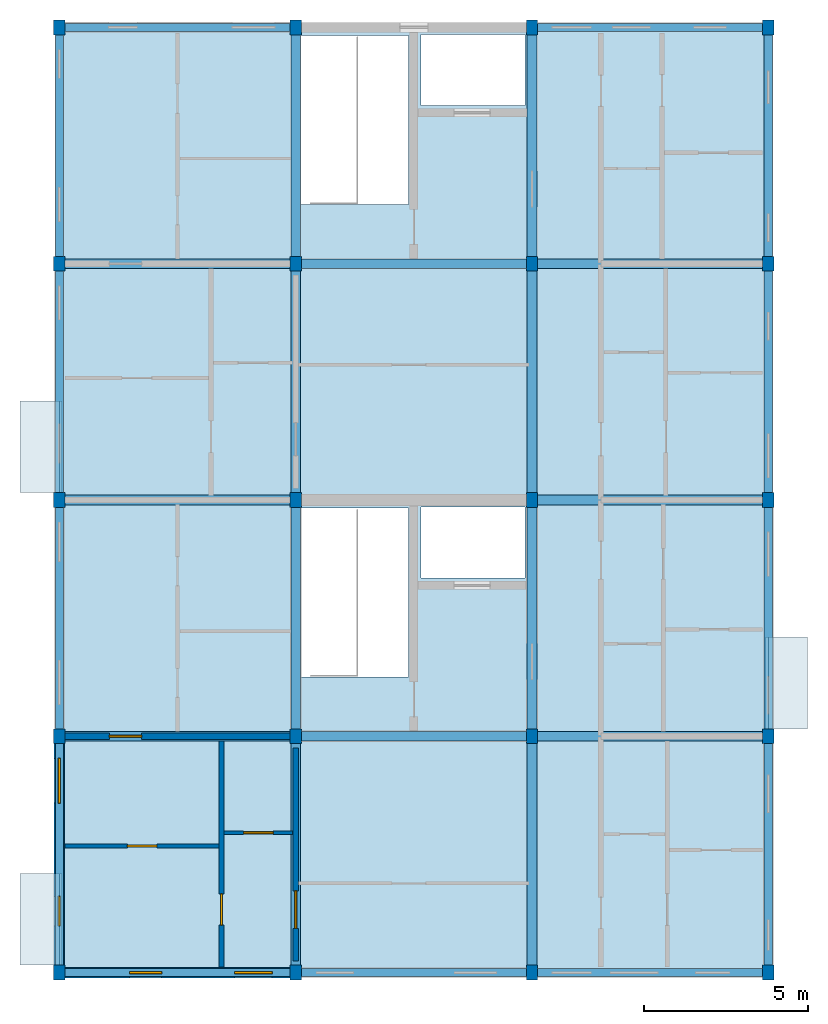
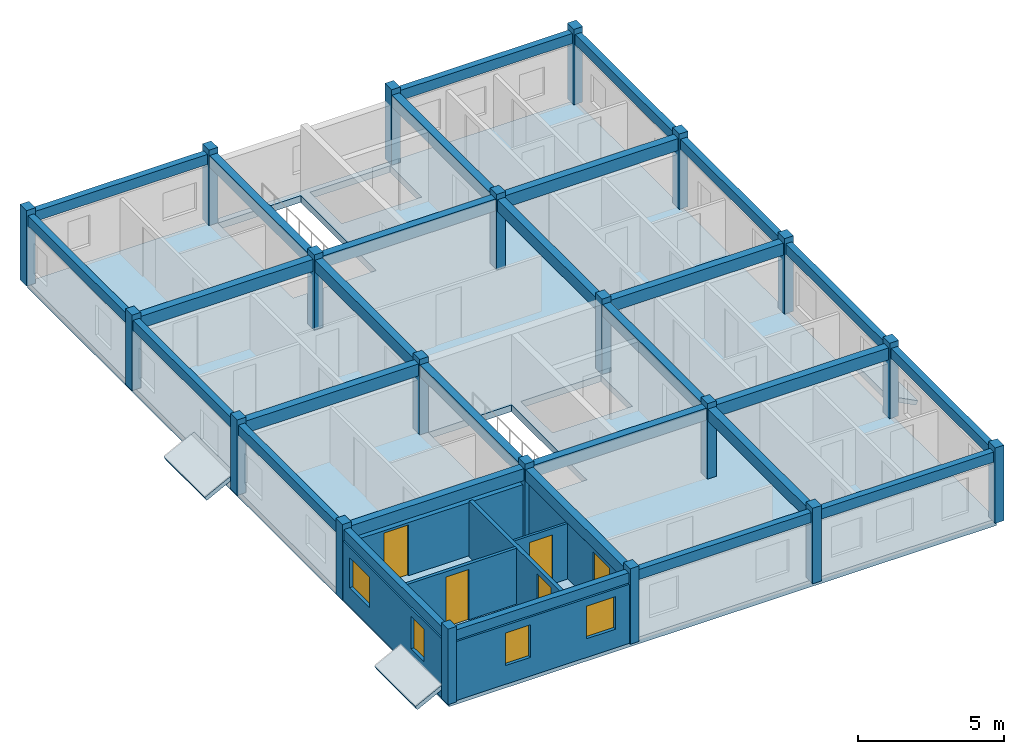
# One storey, part 1 of 6: 29 beams, 20 columns, 7 walls, 5 doors, 4 slabs, 4 windows, 9 openings.
"""IFC4 building model written with IfcOpenShell, lengths in metres."""

from ifc_helpers import new_model, si_unit, direction, frame, frame_2d, origin, origin_2d, place, context, subcontext, project, spatial, polyline, rectangle, outline, extrude, material, layer, layer_set, material_profile, profile_set, type_object, element, fill, save


model = new_model("IFC4")

# Units and contexts
model_context = context("Model", 3, precision=1e-05, world=origin(), true_north=direction((0.0, 1.0)))
body_context = subcontext(model_context, "Body", "Model", "MODEL_VIEW")
ifc_project = project(units=[si_unit("LENGTHUNIT", "METRE"), si_unit("AREAUNIT", "SQUARE_METRE"), si_unit("VOLUMEUNIT", "CUBIC_METRE"), si_unit("PLANEANGLEUNIT", "RADIAN"), si_unit("MASSUNIT", "GRAM", prefix="KILO"), si_unit("THERMODYNAMICTEMPERATUREUNIT", "KELVIN"), si_unit("POWERUNIT", "WATT")], contexts=[model_context])

# Site, building, storey
site_placement = place(None, origin())
site = spatial("IfcSite", under=ifc_project, at=site_placement, CompositionType="ELEMENT")
building_placement = place(site_placement, origin())
building = spatial("IfcBuilding", under=site, at=building_placement, Name="Tavuni Mirador Residences", CompositionType="ELEMENT")
storey_placement = place(building_placement, frame((0.0, 0.0, 48.60009765625)))
storey = spatial("IfcBuildingStorey", under=building, at=storey_placement, Name="L15", CompositionType="ELEMENT", Elevation=48.60009765625)

# Columns
ifc_material_1 = material(Name="Precast concrete C40/50", Category="concrete")
ifc_material_profile_1 = material_profile(ifc_material_1, rectangle(XDim=0.35009765625, YDim=0.449951171875, at=origin_2d()), Name="PC 350x450", Category="concrete")
ifc_profile_set_1 = profile_set([ifc_material_profile_1], Name="Precast concrete C40/50")
column_type = type_object("IfcColumnType", Name="CT-PC350X450", PredefinedType="COLUMN", material=ifc_profile_set_1)
for number, where, z_axis, x_axis, name in (
    (1, (3.60009765625, 7.199951171875, 0.0), (0.0, 0.0, 1.0), (1.0, 0.0, 0.0), "COL-BLK-A-L15-00-00"),
    (2, (3.60009765625, 14.39990234375, 0.0), (0.0, 0.0, 1.0), (1.0, 0.0, 0.0), "COL-BLK-A-L15-00-01"),
    (3, (3.60009765625, 21.60009765625, 0.0), (0.0, 0.0, 1.0), (1.0, 0.0, 0.0), "COL-BLK-A-L15-00-02"),
    (4, (3.60009765625, 28.800048828125, 0.0), (0.0, 0.0, 1.0), (1.0, 0.0, 0.0), "COL-BLK-A-L15-00-03"),
    (5, (3.60009765625, 36.0, 0.0), (0.0, 0.0, 1.0), (1.0, 0.0, 0.0), "COL-BLK-A-L15-00-04"),
    (6, (10.800048828125, 7.199951171875, 0.0), (0.0, 0.0, 1.0), (1.0, 0.0, 0.0), "COL-BLK-A-L15-01-00"),
    (7, (10.800048828125, 14.39990234375, 0.0), (0.0, 0.0, 1.0), (1.0, 0.0, 0.0), "COL-BLK-A-L15-01-01"),
    (8, (10.800048828125, 21.60009765625, 0.0), (0.0, 0.0, 1.0), (1.0, 0.0, 0.0), "COL-BLK-A-L15-01-02"),
    (9, (10.800048828125, 28.800048828125, 0.0), (0.0, 0.0, 1.0), (1.0, 0.0, 0.0), "COL-BLK-A-L15-01-03"),
    (10, (10.800048828125, 36.0, 0.0), (0.0, 0.0, 1.0), (1.0, 0.0, 0.0), "COL-BLK-A-L15-01-04"),
    (11, (18.0, 7.199951171875, 0.0), (0.0, 0.0, 1.0), (1.0, 0.0, 0.0), "COL-BLK-A-L15-02-00"),
    (12, (18.0, 14.39990234375, 0.0), (0.0, 0.0, 1.0), (1.0, 0.0, 0.0), "COL-BLK-A-L15-02-01"),
    (13, (18.0, 21.60009765625, 0.0), (0.0, 0.0, 1.0), (1.0, 0.0, 0.0), "COL-BLK-A-L15-02-02"),
    (14, (18.0, 28.800048828125, 0.0), (0.0, 0.0, 1.0), (1.0, 0.0, 0.0), "COL-BLK-A-L15-02-03"),
    (15, (18.0, 36.0, 0.0), (0.0, 0.0, 1.0), (1.0, 0.0, 0.0), "COL-BLK-A-L15-02-04"),
    (16, (25.199951171875, 7.199951171875, 0.0), (0.0, 0.0, 1.0), (1.0, 0.0, 0.0), "COL-BLK-A-L15-03-00"),
    (17, (25.199951171875, 14.39990234375, 0.0), (0.0, 0.0, 1.0), (1.0, 0.0, 0.0), "COL-BLK-A-L15-03-01"),
    (18, (25.199951171875, 21.60009765625, 0.0), (0.0, 0.0, 1.0), (1.0, 0.0, 0.0), "COL-BLK-A-L15-03-02"),
    (19, (25.199951171875, 28.800048828125, 0.0), (0.0, 0.0, 1.0), (1.0, 0.0, 0.0), "COL-BLK-A-L15-03-03"),
    (20, (25.199951171875, 36.0, 0.0), (0.0, 0.0, 1.0), (1.0, 0.0, 0.0), "COL-BLK-A-L15-03-04"),
):
    element("IfcColumn", number, at=place(storey_placement, frame(where, z_axis=z_axis, x_axis=x_axis)), inside=storey, type_object=column_type, Name=name, PredefinedType="COLUMN", context=body_context, shape_type="SweptSolid", body=[
        extrude(rectangle(XDim=0.35009765625, YDim=0.449951171875, at=origin_2d()), origin(), (0.0, 0.0, 1.0), 3.14990234375),
    ])

# Beams
ifc_material_profile_2 = material_profile(ifc_material_1, rectangle(XDim=0.300048828125, YDim=0.5, at=origin_2d()), Name="PC 300x500", Category="concrete")
ifc_profile_set_2 = profile_set([ifc_material_profile_2], Name="Precast concrete C40/50")
beam_type_1 = type_object("IfcBeamType", Name="BT-B500", PredefinedType="BEAM", material=ifc_profile_set_2)
for number, where, z_axis, x_axis, name in (
    (21, (3.60009765625, 14.39990234375, 2.669921875), (1.0, 0.0, 0.0), (0.0, 1.0, 0.0), "BMX-BLK-A-L15-00-01"),
    (22, (10.800048828125, 14.39990234375, 2.669921875), (1.0, 0.0, 0.0), (0.0, 1.0, 0.0), "BMX-BLK-A-L15-01-01"),
    (23, (18.0, 14.39990234375, 2.669921875), (1.0, 0.0, 0.0), (0.0, 1.0, 0.0), "BMX-BLK-A-L15-02-01"),
    (24, (3.60009765625, 21.60009765625, 2.669921875), (1.0, 0.0, 0.0), (0.0, 1.0, 0.0), "BMX-BLK-A-L15-00-02"),
    (25, (18.0, 21.60009765625, 2.669921875), (1.0, 0.0, 0.0), (0.0, 1.0, 0.0), "BMX-BLK-A-L15-02-02"),
    (26, (3.60009765625, 28.800048828125, 2.669921875), (1.0, 0.0, 0.0), (0.0, 1.0, 0.0), "BMX-BLK-A-L15-00-03"),
    (27, (10.800048828125, 28.800048828125, 2.669921875), (1.0, 0.0, 0.0), (0.0, 1.0, 0.0), "BMX-BLK-A-L15-01-03"),
    (28, (18.0, 28.800048828125, 2.669921875), (1.0, 0.0, 0.0), (0.0, 1.0, 0.0), "BMX-BLK-A-L15-02-03"),
    (29, (10.800048828125, 7.199951171875, 2.669921875), (0.0, 1.0, 0.0), (-1.0, 0.0, 0.0), "BMY-BLK-A-L15-01-00"),
):
    element("IfcBeam", number, at=place(storey_placement, frame(where, z_axis=z_axis, x_axis=x_axis)), inside=storey, type_object=beam_type_1, Name=name, PredefinedType="BEAM", context=body_context, shape_type="SweptSolid", body=[
        extrude(rectangle(XDim=0.300048828125, YDim=0.5, at=origin_2d()), origin(), (0.0, 0.0, 1.0), 7.199951171875),
    ])
beam_1_placement = place(storey_placement, frame((10.800048828125, 14.39990234375, 2.669921875), z_axis=(0.0, 1.0, 0.0), x_axis=(-1.0, 0.0, 0.0)))
element("IfcBeam", 30, at=beam_1_placement, inside=storey, type_object=beam_type_1, Name="BMY-BLK-A-L15-01-01", PredefinedType="BEAM", context=body_context, shape_type="SweptSolid", body=[
    extrude(rectangle(XDim=0.300048828125, YDim=0.5, at=origin_2d()), origin(), (0.0, 0.0, 1.0), 7.2001953125),
])
for number, where, z_axis, x_axis, name in (
    (31, (10.800048828125, 21.60009765625, 2.669921875), (0.0, 1.0, 0.0), (-1.0, 0.0, 0.0), "BMY-BLK-A-L15-01-02"),
    (32, (10.800048828125, 28.800048828125, 2.669921875), (0.0, 1.0, 0.0), (-1.0, 0.0, 0.0), "BMY-BLK-A-L15-01-03"),
    (33, (18.0, 7.199951171875, 2.669921875), (0.0, 1.0, 0.0), (-1.0, 0.0, 0.0), "BMY-BLK-A-L15-02-00"),
):
    element("IfcBeam", number, at=place(storey_placement, frame(where, z_axis=z_axis, x_axis=x_axis)), inside=storey, type_object=beam_type_1, Name=name, PredefinedType="BEAM", context=body_context, shape_type="SweptSolid", body=[
        extrude(rectangle(XDim=0.300048828125, YDim=0.5, at=origin_2d()), origin(), (0.0, 0.0, 1.0), 7.199951171875),
    ])
beam_2_placement = place(storey_placement, frame((18.0, 14.39990234375, 2.669921875), z_axis=(0.0, 1.0, 0.0), x_axis=(-1.0, 0.0, 0.0)))
element("IfcBeam", 34, at=beam_2_placement, inside=storey, type_object=beam_type_1, Name="BMY-BLK-A-L15-02-01", PredefinedType="BEAM", context=body_context, shape_type="SweptSolid", body=[
    extrude(rectangle(XDim=0.300048828125, YDim=0.5, at=origin_2d()), origin(), (0.0, 0.0, 1.0), 7.2001953125),
])
for number, where, z_axis, x_axis, name in (
    (35, (18.0, 21.60009765625, 2.669921875), (0.0, 1.0, 0.0), (-1.0, 0.0, 0.0), "BMY-BLK-A-L15-02-02"),
    (36, (18.0, 28.800048828125, 2.669921875), (0.0, 1.0, 0.0), (-1.0, 0.0, 0.0), "BMY-BLK-A-L15-02-03"),
):
    element("IfcBeam", number, at=place(storey_placement, frame(where, z_axis=z_axis, x_axis=x_axis)), inside=storey, type_object=beam_type_1, Name=name, PredefinedType="BEAM", context=body_context, shape_type="SweptSolid", body=[
        extrude(rectangle(XDim=0.300048828125, YDim=0.5, at=origin_2d()), origin(), (0.0, 0.0, 1.0), 7.199951171875),
    ])
ifc_material_profile_3 = material_profile(ifc_material_1, rectangle(XDim=0.25, YDim=0.419921875, at=origin_2d()), Name="PC 250x420", Category="concrete")
ifc_profile_set_3 = profile_set([ifc_material_profile_3], Name="Precast concrete C40/50")
beam_type_2 = type_object("IfcBeamType", Name="BT-SP420", PredefinedType="SPANDREL", material=ifc_profile_set_3)
for number, where, z_axis, x_axis, name in (
    (37, (3.60009765625, 7.199951171875, 2.7099609375), (1.0, 0.0, 0.0), (0.0, 1.0, 0.0), "BMX-BLK-A-L15-00-00"),
    (38, (10.800048828125, 7.199951171875, 2.7099609375), (1.0, 0.0, 0.0), (0.0, 1.0, 0.0), "BMX-BLK-A-L15-01-00"),
    (39, (18.0, 7.199951171875, 2.7099609375), (1.0, 0.0, 0.0), (0.0, 1.0, 0.0), "BMX-BLK-A-L15-02-00"),
    (40, (3.60009765625, 36.0, 2.7099609375), (1.0, 0.0, 0.0), (0.0, 1.0, 0.0), "BMX-BLK-A-L15-00-04"),
    (41, (18.0, 36.0, 2.7099609375), (1.0, 0.0, 0.0), (0.0, 1.0, 0.0), "BMX-BLK-A-L15-02-04"),
    (42, (3.60009765625, 7.199951171875, 2.7099609375), (0.0, 1.0, 0.0), (-1.0, 0.0, 0.0), "BMY-BLK-A-L15-00-00"),
):
    element("IfcBeam", number, at=place(storey_placement, frame(where, z_axis=z_axis, x_axis=x_axis)), inside=storey, type_object=beam_type_2, Name=name, PredefinedType="SPANDREL", context=body_context, shape_type="SweptSolid", body=[
        extrude(rectangle(XDim=0.25, YDim=0.419921875, at=origin_2d()), origin(), (0.0, 0.0, 1.0), 7.199951171875),
    ])
beam_3_placement = place(storey_placement, frame((3.60009765625, 14.39990234375, 2.7099609375), z_axis=(0.0, 1.0, 0.0), x_axis=(-1.0, 0.0, 0.0)))
element("IfcBeam", 43, at=beam_3_placement, inside=storey, type_object=beam_type_2, Name="BMY-BLK-A-L15-00-01", PredefinedType="SPANDREL", context=body_context, shape_type="SweptSolid", body=[
    extrude(rectangle(XDim=0.25, YDim=0.419921875, at=origin_2d()), origin(), (0.0, 0.0, 1.0), 7.2001953125),
])
for number, where, z_axis, x_axis, name in (
    (44, (3.60009765625, 21.60009765625, 2.7099609375), (0.0, 1.0, 0.0), (-1.0, 0.0, 0.0), "BMY-BLK-A-L15-00-02"),
    (45, (3.60009765625, 28.800048828125, 2.7099609375), (0.0, 1.0, 0.0), (-1.0, 0.0, 0.0), "BMY-BLK-A-L15-00-03"),
    (46, (25.199951171875, 7.199951171875, 2.7099609375), (0.0, 1.0, 0.0), (-1.0, 0.0, 0.0), "BMY-BLK-A-L15-03-00"),
):
    element("IfcBeam", number, at=place(storey_placement, frame(where, z_axis=z_axis, x_axis=x_axis)), inside=storey, type_object=beam_type_2, Name=name, PredefinedType="SPANDREL", context=body_context, shape_type="SweptSolid", body=[
        extrude(rectangle(XDim=0.25, YDim=0.419921875, at=origin_2d()), origin(), (0.0, 0.0, 1.0), 7.199951171875),
    ])
beam_4_placement = place(storey_placement, frame((25.199951171875, 14.39990234375, 2.7099609375), z_axis=(0.0, 1.0, 0.0), x_axis=(-1.0, 0.0, 0.0)))
element("IfcBeam", 47, at=beam_4_placement, inside=storey, type_object=beam_type_2, Name="BMY-BLK-A-L15-03-01", PredefinedType="SPANDREL", context=body_context, shape_type="SweptSolid", body=[
    extrude(rectangle(XDim=0.25, YDim=0.419921875, at=origin_2d()), origin(), (0.0, 0.0, 1.0), 7.2001953125),
])
for number, where, z_axis, x_axis, name in (
    (48, (25.199951171875, 21.60009765625, 2.7099609375), (0.0, 1.0, 0.0), (-1.0, 0.0, 0.0), "BMY-BLK-A-L15-03-02"),
    (49, (25.199951171875, 28.800048828125, 2.7099609375), (0.0, 1.0, 0.0), (-1.0, 0.0, 0.0), "BMY-BLK-A-L15-03-03"),
):
    element("IfcBeam", number, at=place(storey_placement, frame(where, z_axis=z_axis, x_axis=x_axis)), inside=storey, type_object=beam_type_2, Name=name, PredefinedType="SPANDREL", context=body_context, shape_type="SweptSolid", body=[
        extrude(rectangle(XDim=0.25, YDim=0.419921875, at=origin_2d()), origin(), (0.0, 0.0, 1.0), 7.199951171875),
    ])

# Slabs
ifc_material_2 = material(Name="Prestressed concrete C45/55", Category="concrete")
ifc_layer_1 = layer(ifc_material_2, 0.280029296875, Name="Prestressed concrete C45/55", Category="concrete")
ifc_layer_set_1 = layer_set([ifc_layer_1], Name="Prestressed concrete C45/55")
slab_type_1 = type_object("IfcSlabType", Name="SLT-FLR280", PredefinedType="FLOOR", material=ifc_layer_set_1)
slab_1_placement = place(storey_placement, frame((0.0, 0.0, -0.280029296875)))
element("IfcSlab", 50, at=slab_1_placement, inside=storey, type_object=slab_type_1, Name="SLB-BLK-A-L15", PredefinedType="FLOOR", context=body_context, shape_type="SweptSolid", body=[
    extrude(outline(polyline([(3.60009765625, 7.199951171875), (25.199951171875, 7.199951171875), (25.199951171875, 36.0), (3.60009765625, 36.0), (3.60009765625, 7.199951171875)]), holes=[polyline([(10.9599609375, 16.2080078125), (14.239990234375, 16.2080078125), (14.239990234375, 21.360107421875), (10.9599609375, 21.360107421875), (10.9599609375, 16.2080078125)]), polyline([(14.6201171875, 19.219970703125), (17.780029296875, 19.219970703125), (17.780029296875, 21.3798828125), (14.6201171875, 21.3798828125), (14.6201171875, 19.219970703125)]), polyline([(10.9599609375, 30.60791015625), (14.239990234375, 30.60791015625), (14.239990234375, 35.760009765625), (10.9599609375, 35.760009765625), (10.9599609375, 30.60791015625)]), polyline([(14.6201171875, 33.6201171875), (17.780029296875, 33.6201171875), (17.780029296875, 35.780029296875), (14.6201171875, 35.780029296875), (14.6201171875, 33.6201171875)])]), origin(), (0.0, 0.0, 1.0), 0.280029296875),
])
ifc_layer_2 = layer(ifc_material_1, 0.175048828125, Name="Precast concrete C40/50", Category="concrete")
ifc_layer_set_2 = layer_set([ifc_layer_2], Name="Precast concrete C40/50")
slab_type_2 = type_object("IfcSlabType", Name="SLT-RF175", PredefinedType="ROOF", material=ifc_layer_set_2)
slab_2_placement = place(storey_placement, frame((3.60009765625, 7.425048828125, 0.619873046875), z_axis=(-0.458886902548, 0.0, 0.888494688037), x_axis=(0.0, 1.0, 0.0)))
element("IfcSlab", 51, at=slab_2_placement, inside=storey, type_object=slab_type_2, Name="Mirador roof hood MIR-A-W1", PredefinedType="ROOF", context=body_context, shape_type="SweptSolid", body=[
    extrude(outline(polyline([(0.0, 0.0), (2.794921875, 0.0), (2.794921875, 1.3508187822165743), (0.0, 1.3508187822165743), (0.0, 0.0)])), origin(), (0.0, 0.0, -1.0), 0.175048828125),
])
slab_3_placement = place(storey_placement, frame((3.60009765625, 21.824951171875, 0.619873046875), z_axis=(-0.458886902548, 0.0, 0.888494688037), x_axis=(0.0, 1.0, 0.0)))
element("IfcSlab", 52, at=slab_3_placement, inside=storey, type_object=slab_type_2, Name="Mirador roof hood MIR-A-W2", PredefinedType="ROOF", context=body_context, shape_type="SweptSolid", body=[
    extrude(outline(polyline([(0.0, 0.0), (2.795166015625, 0.0), (2.795166015625, 1.3508187822165745), (0.0, 1.3508187822165745), (0.0, 0.0)])), origin(), (0.0, 0.0, -1.0), 0.175048828125),
])
slab_4_placement = place(storey_placement, frame((25.199951171875, 14.625, 0.619873046875), z_axis=(0.458960601939, 0.0, 0.888456620138), x_axis=(0.0, 1.0, 0.0)))
element("IfcSlab", 53, at=slab_4_placement, inside=storey, type_object=slab_type_2, Name="Mirador roof hood MIR-A-EU", PredefinedType="ROOF", context=body_context, shape_type="SweptSolid", body=[
    extrude(outline(polyline([(0.0, 0.0), (2.794921875, 0.0), (2.794921875, -1.3506018692147148), (0.0, -1.3506018692147148), (0.0, 0.0)])), origin(), (0.0, 0.0, -1.0), 0.175048828125),
])

# Wall, opening, door
ifc_layer_3 = layer(ifc_material_1, 0.1650390625, Name="Precast concrete C40/50", Category="concrete")
ifc_layer_set_3 = layer_set([ifc_layer_3], Name="Precast concrete C40/50")
wall_type_1 = type_object("IfcWallType", Name="WT-CORR165", PredefinedType="PARTITIONING", material=ifc_layer_set_3)
wall_1_placement = place(storey_placement, frame((10.800048828125, 7.550048828125, 0.0), z_axis=(0.0, 0.0, 1.0), x_axis=(0.0, 1.0, 0.0)))
wall_1 = element("IfcWall", 54, at=wall_1_placement, inside=storey, type_object=wall_type_1, Name="CORW-BLK-A-L15-1-00", PredefinedType="PARTITIONING", context=body_context, shape_type="SweptSolid", body=[
    extrude(rectangle(XDim=6.5, YDim=0.1650390625, at=frame_2d((3.25, 0.0))), origin(), (0.0, 0.0, 1.0), 2.324951171875),
])
opening_1_placement = place(wall_1_placement, frame((1.0, 0.0, 0.0)))
opening_1 = element("IfcOpeningElement", 55, at=opening_1_placement, cuts=wall_1, Name="Opening D-20", PredefinedType="OPENING", context=body_context, shape_type="SweptSolid", body=[
    extrude(rectangle(XDim=1.139892578125, YDim=2.179931640625, at=frame_2d((0.56982421875, 1.08984375))), frame((0.0, 0.092529296875, 0.0), z_axis=(0.0, -1.0, 0.0), x_axis=(1.0, 0.0, 0.0)), (0.0, 0.0, 1.0), 0.18505859375),
])
ifc_material_3 = material(Name="Solid core iroko timber", Category="wood")
door_type_1 = type_object("IfcDoorType", Name="DT-FD60-1140", OperationType="NOTDEFINED", PredefinedType="DOOR", material=ifc_material_3)
door_1_placement = place(opening_1_placement, origin())
door_1 = element("IfcDoor", 56, at=door_1_placement, inside=storey, type_object=door_type_1, Name="DR-2519", OperationType="SINGLE_SWING_RIGHT", OverallHeight=2.179931640625, OverallWidth=1.139892578125, PredefinedType="DOOR", context=body_context, shape_type="SweptSolid", body=[
    extrude(rectangle(XDim=1.139892578125, YDim=2.179931640625, at=frame_2d((0.56982421875, 1.08984375))), frame((0.0, 0.02490234375, 0.0), z_axis=(0.0, -1.0, 0.0), x_axis=(1.0, 0.0, 0.0)), (0.0, 0.0, 1.0), 0.050048828125),
])
fill(opening_1, door_1)

# Wall, openings, windows
ifc_material_4 = material(Name="Sgraffito lime-rendered precast concrete C40/50", Category="concrete")
ifc_layer_4 = layer(ifc_material_4, 0.31494140625, Name="Sgraffito lime-rendered precast concrete C40/50", Category="concrete")
ifc_layer_set_4 = layer_set([ifc_layer_4], Name="Sgraffito lime-rendered precast concrete C40/50")
wall_type_2 = type_object("IfcWallType", Name="WT-EXT-PC315", PredefinedType="SOLIDWALL", material=ifc_layer_set_4)
wall_2_placement = place(storey_placement, frame((3.77490234375, 7.199951171875, 0.0), z_axis=(0.0, 0.0, 1.0), x_axis=(1.0, 0.0, 0.0)))
wall_2 = element("IfcWall", 57, at=wall_2_placement, inside=storey, type_object=wall_type_2, Name="EW-BLK-A-L15-S00", PredefinedType="SOLIDWALL", context=body_context, shape_type="SweptSolid", body=[
    extrude(rectangle(XDim=6.85009765625, YDim=0.31494140625, at=frame_2d((3.425048828125, 0.0))), origin(), (0.0, 0.0, 1.0), 2.4599609375),
])
opening_2_placement = place(wall_2_placement, frame((1.96240234375, 0.0, 0.780029296875)))
opening_2 = element("IfcOpeningElement", 58, at=opening_2_placement, cuts=wall_2, Name="Opening WN-18", PredefinedType="OPENING", context=body_context, shape_type="SweptSolid", body=[
    extrude(rectangle(XDim=0.97998046875, YDim=1.360107421875, at=frame_2d((0.489990234375, 0.68017578125))), frame((0.0, 0.16748046875, 0.0), z_axis=(0.0, -1.0, 0.0), x_axis=(1.0, 0.0, 0.0)), (0.0, 0.0, 1.0), 0.3349609375),
])
opening_3_placement = place(wall_2_placement, frame((5.16748046875, 0.0, 0.780029296875)))
opening_3 = element("IfcOpeningElement", 59, at=opening_3_placement, cuts=wall_2, Name="Opening WN-20", PredefinedType="OPENING", context=body_context, shape_type="SweptSolid", body=[
    extrude(rectangle(XDim=1.139892578125, YDim=1.360107421875, at=frame_2d((0.56982421875, 0.68017578125))), frame((0.0, 0.16748046875, 0.0), z_axis=(0.0, -1.0, 0.0), x_axis=(1.0, 0.0, 0.0)), (0.0, 0.0, 1.0), 0.3349609375),
])
ifc_material_5 = material(Name="Laminated solar-control glass", Category="glass")
window_type_1 = type_object("IfcWindowType", Name="WNT-18", PartitioningType="SINGLE_PANEL", PredefinedType="WINDOW", material=ifc_material_5)
window_1_placement = place(opening_2_placement, origin())
window_1 = element("IfcWindow", 60, at=window_1_placement, inside=storey, type_object=window_type_1, Name="WIN-0512", OverallHeight=1.360107421875, OverallWidth=0.97998046875, PartitioningType="SINGLE_PANEL", PredefinedType="WINDOW", context=body_context, shape_type="SweptSolid", body=[
    extrude(rectangle(XDim=0.97998046875, YDim=1.360107421875, at=frame_2d((0.489990234375, 0.68017578125))), frame((0.0, 0.030029296875, 0.0), z_axis=(0.0, -1.0, 0.0), x_axis=(1.0, 0.0, 0.0)), (0.0, 0.0, 1.0), 0.06005859375),
])
fill(opening_2, window_1)
window_type_2 = type_object("IfcWindowType", Name="WNT-20", PartitioningType="SINGLE_PANEL", PredefinedType="WINDOW", material=ifc_material_5)
window_2_placement = place(opening_3_placement, origin())
window_2 = element("IfcWindow", 61, at=window_2_placement, inside=storey, type_object=window_type_2, Name="WIN-0513", OverallHeight=1.360107421875, OverallWidth=1.139892578125, PartitioningType="SINGLE_PANEL", PredefinedType="WINDOW", context=body_context, shape_type="SweptSolid", body=[
    extrude(rectangle(XDim=1.139892578125, YDim=1.360107421875, at=frame_2d((0.56982421875, 0.68017578125))), frame((0.0, 0.030029296875, 0.0), z_axis=(0.0, -1.0, 0.0), x_axis=(1.0, 0.0, 0.0)), (0.0, 0.0, 1.0), 0.06005859375),
])
fill(opening_3, window_2)

wall_3_placement = place(storey_placement, frame((3.60009765625, 14.175048828125, 0.0), z_axis=(0.0, 0.0, 1.0), x_axis=(0.0, -1.0, 0.0)))
wall_3 = element("IfcWall", 62, at=wall_3_placement, inside=storey, type_object=wall_type_2, Name="EW-BLK-A-L15-W00", PredefinedType="SOLIDWALL", context=body_context, shape_type="SweptSolid", body=[
    extrude(rectangle(XDim=6.75, YDim=0.31494140625, at=frame_2d((3.375, 0.0))), origin(), (0.0, 0.0, 1.0), 2.4599609375),
])
opening_4_placement = place(wall_3_placement, frame((0.449951171875, 0.0, 0.780029296875)))
opening_4 = element("IfcOpeningElement", 63, at=opening_4_placement, cuts=wall_3, Name="Opening WN-15", PredefinedType="OPENING", context=body_context, shape_type="SweptSolid", body=[
    extrude(rectangle(XDim=1.360107421875, YDim=1.260009765625, at=frame_2d((0.68017578125, 0.6298828125))), frame((0.0, 0.16748046875, 0.0), z_axis=(0.0, -1.0, 0.0), x_axis=(1.0, 0.0, 0.0)), (0.0, 0.0, 1.0), 0.3349609375),
])
opening_5_placement = place(wall_3_placement, frame((4.64990234375, 0.0, 0.780029296875)))
opening_5 = element("IfcOpeningElement", 64, at=opening_5_placement, cuts=wall_3, Name="Opening WN-17", PredefinedType="OPENING", context=body_context, shape_type="SweptSolid", body=[
    extrude(rectangle(XDim=0.89990234375, YDim=1.360107421875, at=frame_2d((0.449951171875, 0.68017578125))), frame((0.0, 0.16748046875, 0.0), z_axis=(0.0, -1.0, 0.0), x_axis=(1.0, 0.0, 0.0)), (0.0, 0.0, 1.0), 0.3349609375),
])
window_type_3 = type_object("IfcWindowType", Name="WNT-15", PartitioningType="SINGLE_PANEL", PredefinedType="WINDOW", material=ifc_material_5)
window_3_placement = place(opening_4_placement, origin())
window_3 = element("IfcWindow", 65, at=window_3_placement, inside=storey, type_object=window_type_3, Name="WIN-0539", OverallHeight=1.260009765625, OverallWidth=1.360107421875, PartitioningType="SINGLE_PANEL", PredefinedType="WINDOW", context=body_context, shape_type="SweptSolid", body=[
    extrude(rectangle(XDim=1.360107421875, YDim=1.260009765625, at=frame_2d((0.68017578125, 0.6298828125))), frame((0.0, 0.030029296875, 0.0), z_axis=(0.0, -1.0, 0.0), x_axis=(1.0, 0.0, 0.0)), (0.0, 0.0, 1.0), 0.06005859375),
])
fill(opening_4, window_3)
window_type_4 = type_object("IfcWindowType", Name="WNT-17", PartitioningType="SINGLE_PANEL", PredefinedType="WINDOW", material=ifc_material_5)
window_4_placement = place(opening_5_placement, origin())
window_4 = element("IfcWindow", 66, at=window_4_placement, inside=storey, type_object=window_type_4, Name="WIN-0540", OverallHeight=1.360107421875, OverallWidth=0.89990234375, PartitioningType="SINGLE_PANEL", PredefinedType="WINDOW", context=body_context, shape_type="SweptSolid", body=[
    extrude(rectangle(XDim=0.89990234375, YDim=1.360107421875, at=frame_2d((0.449951171875, 0.68017578125))), frame((0.0, 0.030029296875, 0.0), z_axis=(0.0, -1.0, 0.0), x_axis=(1.0, 0.0, 0.0)), (0.0, 0.0, 1.0), 0.06005859375),
])
fill(opening_5, window_4)

# Wall, opening, door
ifc_material_6 = material(Name="Acoustic gypsum and concrete block partition", Category="concrete")
ifc_layer_5 = layer(ifc_material_6, 0.094970703125, Name="Acoustic gypsum and concrete block partition", Category="concrete")
ifc_layer_set_5 = layer_set([ifc_layer_5], Name="Acoustic gypsum and concrete block partition")
wall_type_3 = type_object("IfcWallType", Name="WT-PART095", PredefinedType="PARTITIONING", material=ifc_layer_set_5)
wall_4_placement = place(storey_placement, frame((8.610107421875, 11.4599609375, 0.0), z_axis=(0.0, 0.0, 1.0), x_axis=(1.0, 0.0, 0.0)))
wall_4 = element("IfcWall", 67, at=wall_4_placement, inside=storey, type_object=wall_type_3, Name="PW-BLK-A-L15-W00-IN1", PredefinedType="PARTITIONING", context=body_context, shape_type="SweptSolid", body=[
    extrude(rectangle(XDim=2.099853515625, YDim=0.094970703125, at=frame_2d((1.0498046875, 0.0))), origin(), (0.0, 0.0, 1.0), 2.324951171875),
])
opening_6_placement = place(wall_4_placement, frame((0.60009765625, 0.0, 0.0)))
opening_6 = element("IfcOpeningElement", 68, at=opening_6_placement, cuts=wall_4, Name="Opening D-09", PredefinedType="OPENING", context=body_context, shape_type="SweptSolid", body=[
    extrude(rectangle(XDim=0.89990234375, YDim=2.050048828125, at=frame_2d((0.449951171875, 1.02490234375))), frame((0.0, 0.0576171875, 0.0), z_axis=(0.0, -1.0, 0.0), x_axis=(1.0, 0.0, 0.0)), (0.0, 0.0, 1.0), 0.114990234375),
])
door_type_2 = type_object("IfcDoorType", Name="DT-WC900", OperationType="NOTDEFINED", PredefinedType="DOOR", material=ifc_material_3)
door_2_placement = place(opening_6_placement, origin())
door_2 = element("IfcDoor", 69, at=door_2_placement, inside=storey, type_object=door_type_2, Name="DR-3402", OperationType="SINGLE_SWING_RIGHT", OverallHeight=2.050048828125, OverallWidth=0.89990234375, PredefinedType="DOOR", context=body_context, shape_type="SweptSolid", body=[
    extrude(rectangle(XDim=0.89990234375, YDim=2.050048828125, at=frame_2d((0.449951171875, 1.02490234375))), frame((0.0, 0.02490234375, 0.0), z_axis=(0.0, -1.0, 0.0), x_axis=(1.0, 0.0, 0.0)), (0.0, 0.0, 1.0), 0.050048828125),
])
fill(opening_6, door_2)

ifc_layer_6 = layer(ifc_material_6, 0.125, Name="Acoustic gypsum and concrete block partition", Category="concrete")
ifc_layer_set_6 = layer_set([ifc_layer_6], Name="Acoustic gypsum and concrete block partition")
wall_type_4 = type_object("IfcWallType", Name="WT-PART125", PredefinedType="PARTITIONING", material=ifc_layer_set_6)
wall_5_placement = place(storey_placement, frame((3.77490234375, 11.06005859375, 0.0), z_axis=(0.0, 0.0, 1.0), x_axis=(1.0, 0.0, 0.0)))
wall_5 = element("IfcWall", 70, at=wall_5_placement, inside=storey, type_object=wall_type_4, Name="PW-BLK-A-L15-W00-OUT", PredefinedType="PARTITIONING", context=body_context, shape_type="SweptSolid", body=[
    extrude(rectangle(XDim=4.695068359375, YDim=0.125, at=frame_2d((2.34765625, 0.0))), origin(), (0.0, 0.0, 1.0), 2.324951171875),
])
opening_7_placement = place(wall_5_placement, frame((1.8974609375, 0.0, 0.0)))
opening_7 = element("IfcOpeningElement", 71, at=opening_7_placement, cuts=wall_5, Name="Opening D-07", PredefinedType="OPENING", context=body_context, shape_type="SweptSolid", body=[
    extrude(rectangle(XDim=0.89990234375, YDim=2.10009765625, at=frame_2d((0.449951171875, 1.050048828125))), frame((0.0, 0.072509765625, 0.0), z_axis=(0.0, -1.0, 0.0), x_axis=(1.0, 0.0, 0.0)), (0.0, 0.0, 1.0), 0.14501953125),
])
door_type_3 = type_object("IfcDoorType", Name="DT-BED900", OperationType="NOTDEFINED", PredefinedType="DOOR", material=ifc_material_3)
door_3_placement = place(opening_7_placement, origin())
door_3 = element("IfcDoor", 72, at=door_3_placement, inside=storey, type_object=door_type_3, Name="DR-3401", OperationType="SINGLE_SWING_LEFT", OverallHeight=2.10009765625, OverallWidth=0.89990234375, PredefinedType="DOOR", context=body_context, shape_type="SweptSolid", body=[
    extrude(rectangle(XDim=0.89990234375, YDim=2.10009765625, at=frame_2d((0.449951171875, 1.050048828125))), frame((0.0, 0.02490234375, 0.0), z_axis=(0.0, -1.0, 0.0), x_axis=(1.0, 0.0, 0.0)), (0.0, 0.0, 1.0), 0.050048828125),
])
fill(opening_7, door_3)

ifc_layer_7 = layer(ifc_material_6, 0.14990234375, Name="Acoustic gypsum and concrete block partition", Category="concrete")
ifc_layer_set_7 = layer_set([ifc_layer_7], Name="Acoustic gypsum and concrete block partition")
wall_type_5 = type_object("IfcWallType", Name="WT-PART150", PredefinedType="PARTITIONING", material=ifc_layer_set_7)
wall_6_placement = place(storey_placement, frame((8.5400390625, 7.375, 0.0), z_axis=(0.0, 0.0, 1.0), x_axis=(0.0, 1.0, 0.0)))
wall_6 = element("IfcWall", 73, at=wall_6_placement, inside=storey, type_object=wall_type_5, Name="PW-BLK-A-L15-W00-MID", PredefinedType="PARTITIONING", context=body_context, shape_type="SweptSolid", body=[
    extrude(rectangle(XDim=6.885009765625, YDim=0.14990234375, at=frame_2d((3.4423828125, 0.0))), origin(), (0.0, 0.0, 1.0), 2.324951171875),
])
opening_8_placement = place(wall_6_placement, frame((1.27490234375, 0.0, 0.0)))
opening_8 = element("IfcOpeningElement", 74, at=opening_8_placement, cuts=wall_6, Name="Opening D-05", PredefinedType="OPENING", context=body_context, shape_type="SweptSolid", body=[
    extrude(rectangle(XDim=0.949951171875, YDim=2.10009765625, at=frame_2d((0.47509765625, 1.050048828125))), frame((0.0, 0.0849609375, 0.0), z_axis=(0.0, -1.0, 0.0), x_axis=(1.0, 0.0, 0.0)), (0.0, 0.0, 1.0), 0.169921875),
])
door_type_4 = type_object("IfcDoorType", Name="DT-INT950", OperationType="NOTDEFINED", PredefinedType="DOOR", material=ifc_material_3)
door_4_placement = place(opening_8_placement, origin())
door_4 = element("IfcDoor", 75, at=door_4_placement, inside=storey, type_object=door_type_4, Name="DR-3403", OperationType="SINGLE_SWING_LEFT", OverallHeight=2.10009765625, OverallWidth=0.949951171875, PredefinedType="DOOR", context=body_context, shape_type="SweptSolid", body=[
    extrude(rectangle(XDim=0.949951171875, YDim=2.10009765625, at=frame_2d((0.47509765625, 1.050048828125))), frame((0.0, 0.02490234375, 0.0), z_axis=(0.0, -1.0, 0.0), x_axis=(1.0, 0.0, 0.0)), (0.0, 0.0, 1.0), 0.050048828125),
])
fill(opening_8, door_4)

ifc_layer_8 = layer(ifc_material_1, 0.195068359375, Name="Precast concrete C40/50", Category="concrete")
ifc_layer_set_8 = layer_set([ifc_layer_8], Name="Precast concrete C40/50")
wall_type_6 = type_object("IfcWallType", Name="WT-XW195", PredefinedType="SOLIDWALL", material=ifc_layer_set_8)
wall_7_placement = place(storey_placement, frame((3.77490234375, 14.39990234375, 0.0), z_axis=(0.0, 0.0, 1.0), x_axis=(1.0, 0.0, 0.0)))
wall_7 = element("IfcWall", 76, at=wall_7_placement, inside=storey, type_object=wall_type_6, Name="XW-BLK-A-L15-W-01", PredefinedType="SOLIDWALL", context=body_context, shape_type="SweptSolid", body=[
    extrude(rectangle(XDim=6.85009765625, YDim=0.195068359375, at=frame_2d((3.425048828125, 0.0))), origin(), (0.0, 0.0, 1.0), 2.219970703125),
])
opening_9_placement = place(wall_7_placement, frame((1.35009765625, 0.0, 0.0)))
opening_9 = element("IfcOpeningElement", 77, at=opening_9_placement, cuts=wall_7, Name="Opening D-04", PredefinedType="OPENING", context=body_context, shape_type="SweptSolid", body=[
    extrude(rectangle(XDim=0.97998046875, YDim=2.1201171875, at=frame_2d((0.489990234375, 1.06005859375))), frame((0.0, 0.107421875, 0.0), z_axis=(0.0, -1.0, 0.0), x_axis=(1.0, 0.0, 0.0)), (0.0, 0.0, 1.0), 0.215087890625),
])
door_type_5 = type_object("IfcDoorType", Name="DT-FD60-980", OperationType="NOTDEFINED", PredefinedType="DOOR", material=ifc_material_3)
door_5_placement = place(opening_9_placement, origin())
door_5 = element("IfcDoor", 78, at=door_5_placement, inside=storey, type_object=door_type_5, Name="DR-4704", OperationType="SINGLE_SWING_LEFT", OverallHeight=2.1201171875, OverallWidth=0.97998046875, PredefinedType="DOOR", context=body_context, shape_type="SweptSolid", body=[
    extrude(rectangle(XDim=0.97998046875, YDim=2.1201171875, at=frame_2d((0.489990234375, 1.06005859375))), frame((0.0, 0.02490234375, 0.0), z_axis=(0.0, -1.0, 0.0), x_axis=(1.0, 0.0, 0.0)), (0.0, 0.0, 1.0), 0.050048828125),
])
fill(opening_9, door_5)

save(model, "model.ifc")
